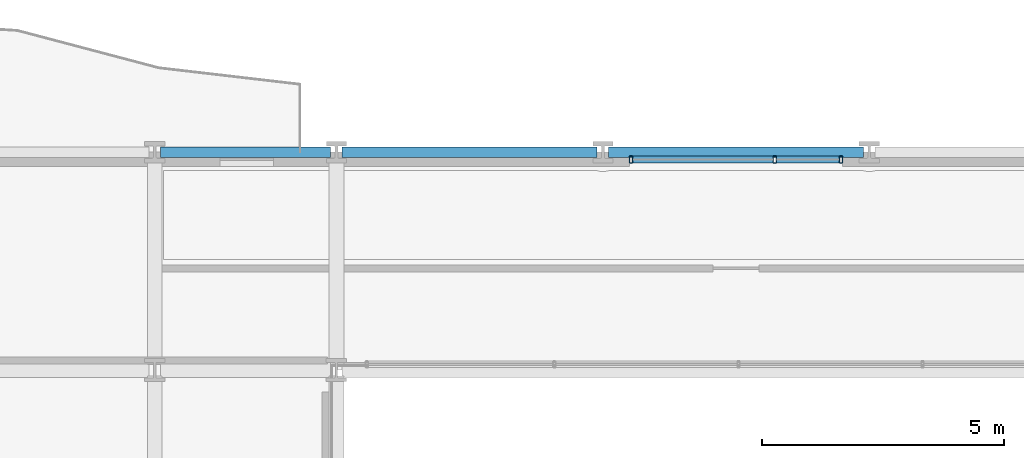
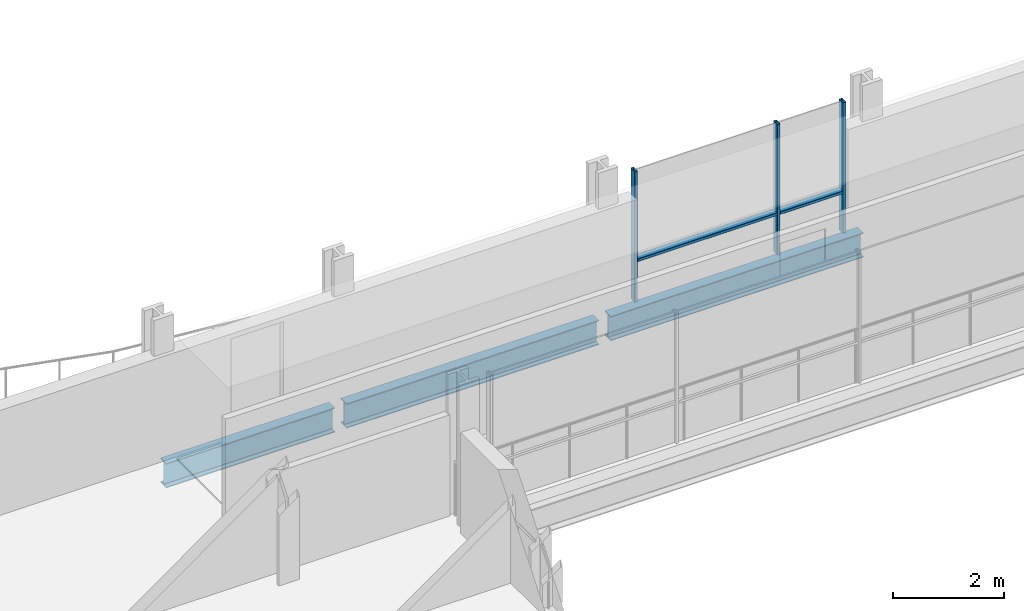
# One storey, part 22 of 40: 5 members, 3 beams, 1 element without a shape of its own.
"""IFC4 building model written with IfcOpenShell, lengths in metres."""

from ifc_helpers import new_model, si_unit, direction, frame, origin, origin_2d, place, context, subcontext, project, spatial, hollow_rectangle, i_section, extrude, material, layer, layer_set, material_profile, profile_set, type_object, element, aggregate, save


model = new_model("IFC4")

# Units and contexts
model_context = context("Model", 3, precision=1e-05, world=origin(), true_north=direction((0.0, 1.0)))
body_context = subcontext(model_context, "Body", "Model", "MODEL_VIEW")
ifc_project = project(units=[si_unit("LENGTHUNIT", "METRE"), si_unit("AREAUNIT", "SQUARE_METRE"), si_unit("VOLUMEUNIT", "CUBIC_METRE"), si_unit("PLANEANGLEUNIT", "RADIAN"), si_unit("MASSUNIT", "GRAM", prefix="KILO")], contexts=[model_context])

# Site, building, storey
site_placement = place(None, origin())
site = spatial("IfcSite", under=ifc_project, at=site_placement, CompositionType="ELEMENT")
building_placement = place(site_placement, origin())
building = spatial("IfcBuilding", under=site, at=building_placement, Name="Brevholm Reach", CompositionType="ELEMENT")
storey_placement = place(building_placement, frame((0.0, 0.0, 37.300048828125)))
storey = spatial("IfcBuildingStorey", under=building, at=storey_placement, Name="L09", CompositionType="ELEMENT", Elevation=37.300048828125)

# Beams
ifc_material_1 = material(Name="Structural Steel S355J2", Category="steel")
ifc_material_profile_1 = material_profile(ifc_material_1, i_section(OverallWidth=0.210693359375, OverallDepth=0.53955078125, WebThickness=0.01171875, FlangeThickness=0.018798828125, FilletRadius=0.0126953125, at=origin_2d()), Name="UKB 533x210x109")
ifc_profile_set_1 = profile_set([ifc_material_profile_1], Name="Structural Steel S355J2")
beam_type = type_object("IfcBeamType", Name="BM-SP539", PredefinedType="SPANDREL", material=ifc_profile_set_1)
beam_placement = place(storey_placement, frame((18.1201171875, 31.0, -0.499755859375), z_axis=(1.0, 0.0, 0.0), x_axis=(0.0, 1.0, 0.0)))
element("IfcBeam", 1, at=beam_placement, inside=storey, type_object=beam_type, Name="L09 SP-01B Framing Beam", PredefinedType="SPANDREL", context=body_context, shape_type="SweptSolid", body=[
    extrude(i_section(OverallWidth=0.210693359375, OverallDepth=0.53955078125, WebThickness=0.01171875, FlangeThickness=0.018798828125, FilletRadius=0.0126953125, at=origin_2d()), origin(), (0.0, 0.0, 1.0), 3.509765625),
])
for number, where, z_axis, x_axis, name in (
    (2, (21.8701171875, 31.0, -0.499755859375), (1.0, 0.0, 0.0), (0.0, 1.0, 0.0), "L09 SP-01B Framing Beam"),
    (3, (27.3701171875, 31.0, -0.499755859375), (1.0, 0.0, 0.0), (0.0, 1.0, 0.0), "L09 SP-01B Framing Beam"),
):
    element("IfcBeam", number, at=place(storey_placement, frame(where, z_axis=z_axis, x_axis=x_axis)), inside=storey, type_object=beam_type, Name=name, PredefinedType="SPANDREL", context=body_context, shape_type="SweptSolid", body=[
        extrude(i_section(OverallWidth=0.210693359375, OverallDepth=0.53955078125, WebThickness=0.01171875, FlangeThickness=0.018798828125, FilletRadius=0.0126953125, at=origin_2d()), origin(), (0.0, 0.0, 1.0), 5.259765625),
    ])

# Curtain wall, members
ifc_material_2 = material(Name="Dark Anodised Aluminium 6063-T6 and Solar-Control Glass", Category="aluminium")
ifc_layer = layer(ifc_material_2, 0.14990234375)
ifc_layer_set = layer_set([ifc_layer], Name="Dark Anodised Aluminium 6063-T6 and Solar-Control Glass")
curtain_wall_type = type_object("IfcCurtainWallType", Name="CW-01", PredefinedType="NOTDEFINED", material=ifc_layer_set)
curtain_wall_placement = place(storey_placement, origin())
curtain_wall = element("IfcCurtainWall", 4, at=curtain_wall_placement, inside=storey, type_object=curtain_wall_type, Name="L09 Curtain Wall CW-01", PredefinedType="NOTDEFINED")
ifc_material_3 = material(Name="Dark Anodised Aluminium 6063-T6", Category="aluminium")
ifc_material_profile_2 = material_profile(ifc_material_3, hollow_rectangle(XDim=0.06494140625, YDim=0.14990234375, WallThickness=0.0048828125, InnerFilletRadius=0.0048828125, OuterFilletRadius=0.010009765625, at=origin_2d()), Name="RHS 150x65x5")
ifc_profile_set_2 = profile_set([ifc_material_profile_2], Name="Dark Anodised Aluminium 6063-T6")
member_type_1 = type_object("IfcMemberType", Name="CWM-150", PredefinedType="MULLION", material=ifc_profile_set_2)
member_1_placement = place(storey_placement, frame((27.83251953125, 30.85009765625, 0.0), z_axis=(0.0, 0.0, 1.0), x_axis=(1.0, 0.0, 0.0)))
member_1 = element("IfcMember", 5, at=member_1_placement, type_object=member_type_1, Name="CM-150 Mullion 1", PredefinedType="MULLION", context=body_context, shape_type="SweptSolid", body=[
    extrude(hollow_rectangle(XDim=0.06494140625, YDim=0.14990234375, WallThickness=0.0048828125, InnerFilletRadius=0.0048828125, OuterFilletRadius=0.010009765625, at=origin_2d()), origin(), (0.0, 0.0, 1.0), 2.869873046875),
])
member_2_placement = place(storey_placement, frame((30.800048828125, 30.85009765625, 0.0), z_axis=(0.0, 0.0, 1.0), x_axis=(1.0, 0.0, 0.0)))
member_2 = element("IfcMember", 6, at=member_2_placement, type_object=member_type_1, Name="CM-150 Mullion 2", PredefinedType="MULLION", context=body_context, shape_type="SweptSolid", body=[
    extrude(hollow_rectangle(XDim=0.06494140625, YDim=0.14990234375, WallThickness=0.0048828125, InnerFilletRadius=0.0048828125, OuterFilletRadius=0.010009765625, at=origin_2d()), origin(), (0.0, 0.0, 1.0), 2.869873046875),
])
member_3_placement = place(storey_placement, frame((32.16748046875, 30.85009765625, 0.0), z_axis=(0.0, 0.0, 1.0), x_axis=(1.0, 0.0, 0.0)))
member_3 = element("IfcMember", 7, at=member_3_placement, type_object=member_type_1, Name="CM-150 Mullion 3", PredefinedType="MULLION", context=body_context, shape_type="SweptSolid", body=[
    extrude(hollow_rectangle(XDim=0.06494140625, YDim=0.14990234375, WallThickness=0.0048828125, InnerFilletRadius=0.0048828125, OuterFilletRadius=0.010009765625, at=origin_2d()), origin(), (0.0, 0.0, 1.0), 2.869873046875),
])
ifc_material_4 = material(Name="Dark Anodised Aluminium 6063-T6", Category="aluminium")
ifc_material_profile_3 = material_profile(ifc_material_4, hollow_rectangle(XDim=0.06494140625, YDim=0.14990234375, WallThickness=0.0048828125, InnerFilletRadius=0.0048828125, OuterFilletRadius=0.010009765625, at=origin_2d()), Name="RHS 150x65x5")
ifc_profile_set_3 = profile_set([ifc_material_profile_3], Name="Dark Anodised Aluminium 6063-T6")
member_type_2 = type_object("IfcMemberType", Name="CWT-150", PredefinedType="NOTDEFINED", material=ifc_profile_set_3)
member_4_placement = place(storey_placement, frame((27.864990234375, 30.85009765625, 0.89990234375), z_axis=(1.0, 0.0, 0.0), x_axis=(0.0, 0.0, 1.0)))
member_4 = element("IfcMember", 8, at=member_4_placement, type_object=member_type_2, Name="CT-150 Transom 1.1", ObjectType="TRANSOM", PredefinedType="USERDEFINED", context=body_context, shape_type="SweptSolid", body=[
    extrude(hollow_rectangle(XDim=0.06494140625, YDim=0.14990234375, WallThickness=0.0048828125, InnerFilletRadius=0.0048828125, OuterFilletRadius=0.010009765625, at=origin_2d()), origin(), (0.0, 0.0, 1.0), 2.902587890625),
])
member_5_placement = place(storey_placement, frame((30.83251953125, 30.85009765625, 0.89990234375), z_axis=(1.0, 0.0, 0.0), x_axis=(0.0, 0.0, 1.0)))
member_5 = element("IfcMember", 9, at=member_5_placement, type_object=member_type_2, Name="CT-150 Transom 2.1", ObjectType="TRANSOM", PredefinedType="USERDEFINED", context=body_context, shape_type="SweptSolid", body=[
    extrude(hollow_rectangle(XDim=0.06494140625, YDim=0.14990234375, WallThickness=0.0048828125, InnerFilletRadius=0.0048828125, OuterFilletRadius=0.010009765625, at=origin_2d()), origin(), (0.0, 0.0, 1.0), 1.302490234375),
])
aggregate(curtain_wall, [member_1, member_2, member_3, member_4, member_5])

save(model, "model.ifc")
